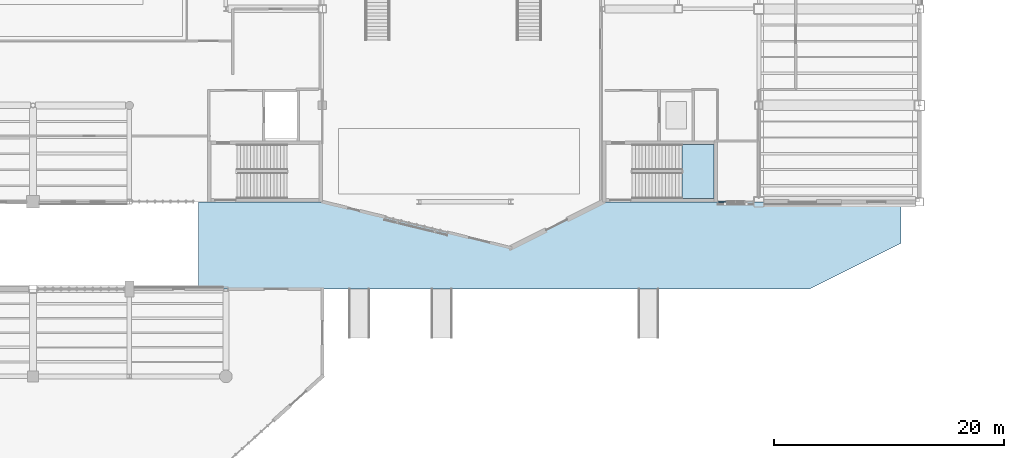
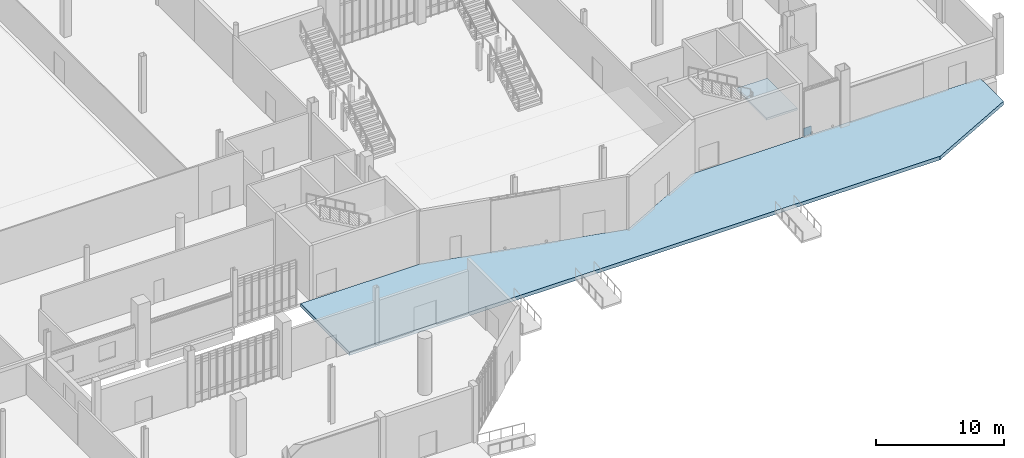
# One storey, part 58 of 111: 2 slabs, 1 plate, 2 elements without a shape of their own.
"""IFC4 building model written with IfcOpenShell, lengths in metres."""

import ifcopenshell
import ifcopenshell.guid

model = None  # the IFC model being written
_history = None  # IfcOwnerHistory: only IFC2X3 demands one
_inside = {}  # id of a spatial element -> (the spatial element, [elements in it])
_under = {}  # id of a project, library or spatial element -> (it, [spatial elements below it])
_declared = {}  # id of a project -> (the project, [libraries it declares])
_typed = {}  # id of a type object -> (the type object, [elements of that type])
_made_of = {}  # id of a material, layer set ... -> (it, [elements and type objects made of it])


def new_model(schema):
    """Start an empty IFC model of exactly this schema.

    Asked for "IFC4X3", IfcOpenShell would pick the latest addendum, in which some entities
    have other attributes; the version numbers below select the first issue.
    IFC2X3 requires an IfcOwnerHistory on every rooted entity: one is made here for all.
    """
    global model, _history
    if schema == "IFC4X3":
        model = ifcopenshell.file(schema_version=(4, 3, 0, 0))
    else:
        model = ifcopenshell.file(schema=schema)
    _inside.clear()
    _under.clear()
    _declared.clear()
    _typed.clear()
    _made_of.clear()
    _history = None
    if model.schema == "IFC2X3":
        org = make("IfcOrganization", Name="unknown")
        user = make(
            "IfcPersonAndOrganization",
            ThePerson=make("IfcPerson", FamilyName="unknown"),
            TheOrganization=org,
        )
        app = make(
            "IfcApplication",
            ApplicationDeveloper=org,
            Version="unknown",
            ApplicationFullName="unknown",
            ApplicationIdentifier="unknown",
        )
        _history = make(
            "IfcOwnerHistory",
            OwningUser=user,
            OwningApplication=app,
            ChangeAction="ADDED",
            CreationDate=0,
        )
    return model


def make(cls, **values):
    """One entity of the class cls with the attributes given. An attribute that is None is left unset."""
    return model.create_entity(
        cls, **{name: value for name, value in values.items() if value is not None}
    )


def rooted(cls, **values):
    """An entity with a GlobalId (a new one), such as an element, a storey or a relation."""
    return make(cls, GlobalId=ifcopenshell.guid.new(), OwnerHistory=_history, **values)


def si_unit(unit_type, name, prefix=None):
    """IfcSIUnit, for example si_unit("LENGTHUNIT", "METRE", prefix="MILLI")."""
    return make("IfcSIUnit", UnitType=unit_type, Prefix=prefix, Name=name)


def assignment(units):
    """IfcUnitAssignment: the units of a project."""
    return None if units is None else make("IfcUnitAssignment", Units=units)


def point(xyz):
    """IfcCartesianPoint."""
    return None if xyz is None else make("IfcCartesianPoint", Coordinates=xyz)


def direction(xyz):
    """IfcDirection."""
    return None if xyz is None else make("IfcDirection", DirectionRatios=xyz)


def frame(location, z_axis=None, x_axis=None):
    """IfcAxis2Placement3D, a coordinate frame: its origin and axes. An axis left out is left unset."""
    return make(
        "IfcAxis2Placement3D",
        Location=point(location),
        Axis=direction(z_axis),
        RefDirection=direction(x_axis),
    )


def frame_2d(location, x_axis=None):
    """IfcAxis2Placement2D, a coordinate frame in the plane: its origin and x axis."""
    return make(
        "IfcAxis2Placement2D", Location=point(location), RefDirection=direction(x_axis)
    )


def origin():
    """The frame at (0, 0, 0) with its axes left unset."""
    return frame((0.0, 0.0, 0.0))


def origin_2d():
    """The frame at (0, 0) in the plane with its x axis left unset."""
    return frame_2d((0.0, 0.0))


def place(relative_to, where):
    """IfcLocalPlacement: puts the frame where relative to a parent placement (None: the world)."""
    return make(
        "IfcLocalPlacement", PlacementRelTo=relative_to, RelativePlacement=where
    )


def context(
    kind, dimensions, precision=None, world=None, true_north=None, identifier=None
):
    """IfcGeometricRepresentationContext, for example the 3D "Model" context."""
    return make(
        "IfcGeometricRepresentationContext",
        ContextIdentifier=identifier,
        ContextType=kind,
        CoordinateSpaceDimension=dimensions,
        Precision=precision,
        WorldCoordinateSystem=world,
        TrueNorth=true_north,
    )


def subcontext(parent, identifier, kind, view, scale=None):
    """IfcGeometricRepresentationSubContext, for example "Body" below "Model"."""
    return make(
        "IfcGeometricRepresentationSubContext",
        ContextIdentifier=identifier,
        ContextType=kind,
        ParentContext=parent,
        TargetScale=scale,
        TargetView=view,
    )


def project(units=None, contexts=None):
    """IfcProject with its units and contexts."""
    return rooted(
        "IfcProject",
        Name="project",
        RepresentationContexts=contexts,
        UnitsInContext=assignment(units),
    )


def spatial(cls, under=None, at=None, **own):
    """A site, building, storey or space (cls), placed at a placement, below another one or the project."""
    s = rooted(cls, ObjectPlacement=at, **own)
    if under is not None:
        _under.setdefault(under.id(), (under, []))[1].append(s)
    return s


def polyline(points):
    """IfcPolyline through the points."""
    return make("IfcPolyline", Points=[point(p) for p in points])


def profile(cls, at=None, kind="AREA", **sizes):
    """A parametric profile (cls). Its sizes go by their IFC names, for example OverallWidth=200.0."""
    return make(cls, ProfileType=kind, Position=at, **sizes)


def rectangle(**sizes):
    """IfcRectangleProfileDef."""
    return profile("IfcRectangleProfileDef", **sizes)


def outline(outer, holes=None, kind="AREA"):
    """IfcArbitraryClosedProfileDef: a profile drawn as a closed curve; with holes, ...WithVoids."""
    if holes is None:
        return make("IfcArbitraryClosedProfileDef", ProfileType=kind, OuterCurve=outer)
    return make(
        "IfcArbitraryProfileDefWithVoids",
        ProfileType=kind,
        OuterCurve=outer,
        InnerCurves=holes,
    )


def extrude(swept, where, along, depth):
    """IfcExtrudedAreaSolid: the profile swept, set in the frame where, extruded along a direction by depth."""
    return make(
        "IfcExtrudedAreaSolid",
        SweptArea=swept,
        Position=where,
        ExtrudedDirection=direction(along),
        Depth=depth,
    )


def shape(context_of_items, identifier, shape_type, items):
    """IfcShapeRepresentation: the items that make up one representation, for example the "Body"."""
    return make(
        "IfcShapeRepresentation",
        ContextOfItems=context_of_items,
        RepresentationIdentifier=identifier,
        RepresentationType=shape_type,
        Items=items,
    )


def material(Name=None, Category=None):
    """IfcMaterial."""
    return make("IfcMaterial", Name=Name, Category=Category)


def layer(
    of_material, thickness, ventilated=None, Name=None, Category=None, Priority=None
):
    """IfcMaterialLayer: one layer of a wall or slab, of a material (None: an air gap)."""
    return make(
        "IfcMaterialLayer",
        Material=of_material,
        LayerThickness=thickness,
        IsVentilated=ventilated,
        Name=Name,
        Category=Category,
        Priority=Priority,
    )


def layer_set(layers, Name=None):
    """IfcMaterialLayerSet."""
    return make("IfcMaterialLayerSet", MaterialLayers=layers, LayerSetName=Name)


def made_of(thing, what):
    """Note that an element or type object is made of a material, layer set ...; save() writes the relation."""
    if what is not None:
        _made_of.setdefault(what.id(), (what, []))[1].append(thing)
    return thing


def type_object(cls, material=None, **own):
    """A type object (cls), such as IfcWallType, which elements share."""
    return made_of(rooted(cls, **own), material)


def element(
    cls,
    number,
    at=None,
    inside=None,
    cuts=None,
    type_object=None,
    material=None,
    context=None,
    identifier="Body",
    shape_type=None,
    held_by="IfcProductDefinitionShape",
    body=None,
    shapes=None,
    **own,
):
    """One element of the class cls, such as IfcWall. Its Tag is "e" and its number.

    at: its placement. inside: the storey or other place that contains it. cuts: it is an
    opening in that element (IfcRelVoidsElement). A single representation is given by context,
    identifier, shape_type and body (its items); several are given by shapes. held_by: the class
    of the entity that holds the representations. save() writes the other relations.
    """
    e = rooted(cls, Tag="e%d" % number, ObjectPlacement=at, **own)
    if body is not None:
        shapes = [shape(context, identifier, shape_type, body)]
    if shapes is not None:
        e.Representation = make(held_by, Representations=shapes)
    if inside is not None:
        _inside.setdefault(inside.id(), (inside, []))[1].append(e)
    if cuts is not None:
        rooted(
            "IfcRelVoidsElement", RelatingBuildingElement=cuts, RelatedOpeningElement=e
        )
    if type_object is not None:
        _typed.setdefault(type_object.id(), (type_object, []))[1].append(e)
    return made_of(e, material)


def aggregate(whole, parts):
    """IfcRelAggregates: a whole, such as a stair, and the parts it consists of."""
    return rooted("IfcRelAggregates", RelatingObject=whole, RelatedObjects=parts)


def save(model, path):
    """Write the relations noted so far, then the file.

    IfcRelAggregates (storeys below a building ...), IfcRelContainedInSpatialStructure (elements
    in a storey), IfcRelDefinesByType, IfcRelAssociatesMaterial and IfcRelDeclares: one each for
    every whole, place, type object, material and project.
    """
    for whole, parts in _under.values():
        aggregate(whole, parts)
    for where, things in _inside.values():
        rooted(
            "IfcRelContainedInSpatialStructure",
            RelatedElements=things,
            RelatingStructure=where,
        )
    for kind, things in _typed.values():
        rooted("IfcRelDefinesByType", RelatedObjects=things, RelatingType=kind)
    for what, things in _made_of.values():
        rooted("IfcRelAssociatesMaterial", RelatedObjects=things, RelatingMaterial=what)
    for by, libraries in _declared.values():
        rooted("IfcRelDeclares", RelatingContext=by, RelatedDefinitions=libraries)
    model.write(path)


model = new_model("IFC4")

# Units and contexts
model_context = context("Model", 3, precision=1e-05, world=origin(), true_north=direction((0.0, 1.0)))
body_context = subcontext(model_context, "Body", "Model", "MODEL_VIEW")
ifc_project = project(units=[si_unit("LENGTHUNIT", "METRE"), si_unit("AREAUNIT", "SQUARE_METRE"), si_unit("VOLUMEUNIT", "CUBIC_METRE"), si_unit("PLANEANGLEUNIT", "RADIAN"), si_unit("MASSUNIT", "GRAM", prefix="KILO")], contexts=[model_context])

# Site, building, storey
site_placement = place(None, origin())
site = spatial("IfcSite", under=ifc_project, at=site_placement, CompositionType="ELEMENT")
building_placement = place(site_placement, origin())
building = spatial("IfcBuilding", under=site, at=building_placement, Name="Larkvane Passage Sports Hall", CompositionType="ELEMENT")
storey_placement = place(building_placement, origin())
storey = spatial("IfcBuildingStorey", under=building, at=storey_placement, Name="L00", CompositionType="ELEMENT", Elevation=0.0)

# Curtain wall, plate
ifc_material_1 = material(Name="Thermally broken aluminium and low-E glazing", Category="aluminium")
curtain_wall_type = type_object("IfcCurtainWallType", Name="CW-UNIT-COURT", PredefinedType="USERDEFINED", material=ifc_material_1)
curtain_wall_placement = place(storey_placement, origin())
curtain_wall = element("IfcCurtainWall", 1, at=curtain_wall_placement, inside=storey, type_object=curtain_wall_type, Name="Curtain wall CW5-L00-024", ObjectType="UNITISED CURTAIN WALL", PredefinedType="USERDEFINED")
ifc_material_2 = material(Name="Insulated aluminium spandrel panel", Category="aluminium")
ifc_layer_1 = layer(ifc_material_2, 0.06494140625)
ifc_layer_set_1 = layer_set([ifc_layer_1], Name="Insulated aluminium spandrel panel")
plate_type = type_object("IfcPlateType", Name="CWP-SPD-65", PredefinedType="CURTAIN_PANEL", material=ifc_layer_set_1)
plate_placement = place(storey_placement, frame((128.419189453125, 22.800048828125, 0.06494140625), z_axis=(0.0, 0.0, 1.0), x_axis=(-1.0, 0.0, 0.0)))
plate = element("IfcPlate", 2, at=plate_placement, type_object=plate_type, Name="CW-01 panel 4.1", PredefinedType="CURTAIN_PANEL", context=body_context, shape_type="SweptSolid", body=[
    extrude(rectangle(XDim=0.6884765625, YDim=0.06494140625, at=origin_2d()), origin(), (0.0, 0.0, 1.0), 0.75244140625),
])
aggregate(curtain_wall, [plate])

# Stair, slab
ifc_material_3 = material(Name="Concrete C40/50", Category="concrete")
stair_type = type_object("IfcStairType", Name="STR-CORE-2250", PredefinedType="HALF_TURN_STAIR", material=ifc_material_3)
stair_placement = place(storey_placement, origin())
stair = element("IfcStair", 3, at=stair_placement, inside=storey, type_object=stair_type, Name="L00 Protected exit stair ST-05", PredefinedType="HALF_TURN_STAIR")
ifc_layer_2 = layer(ifc_material_3, 0.199951171875)
ifc_layer_set_2 = layer_set([ifc_layer_2], Name="Concrete C40/50")
slab_type_1 = type_object("IfcSlabType", Name="SLB-LAND-200", PredefinedType="LANDING", material=ifc_layer_set_2)
slab_1_placement = place(storey_placement, frame((0.0, 0.0, 2.5)))
slab_1 = element("IfcSlab", 4, at=slab_1_placement, type_object=slab_type_1, Name="ST-05 landing 1", PredefinedType="LANDING", context=body_context, shape_type="SweptSolid", body=[
    extrude(outline(polyline([(124.929931640625, 23.10009765625), (127.699951171875, 23.10009765625), (127.699951171875, 27.800048828125), (124.929931640625, 27.800048828125), (124.929931640625, 23.10009765625)])), origin(), (0.0, 0.0, 1.0), 0.199951171875),
])
aggregate(stair, [slab_1])

# Slab
ifc_layer_3 = layer(ifc_material_3, 0.340087890625)
ifc_layer_set_3 = layer_set([ifc_layer_3], Name="Concrete C40/50")
slab_type_2 = type_object("IfcSlabType", Name="SLB-TER-195", PredefinedType="FLOOR", material=ifc_layer_set_3)
slab_2_placement = place(storey_placement, frame((0.0, 0.0, -0.340087890625)))
element("IfcSlab", 5, at=slab_2_placement, inside=storey, type_object=slab_type_2, Name="Exterior terrace deck SLAB-EXT-L00-PASS-S", PredefinedType="FLOOR", context=body_context, shape_type="SweptSolid", body=[
    extrude(outline(polyline([(82.800048828125, 15.199951171875), (136.0, 15.199951171875), (144.0, 19.199951171875), (144.0, 22.800048828125), (118.0, 22.800048828125), (110.0, 18.800048828125), (93.60009765625, 22.800048828125), (82.800048828125, 22.800048828125), (82.800048828125, 15.199951171875)])), origin(), (0.0, 0.0, 1.0), 0.340087890625),
])

save(model, "model.ifc")
